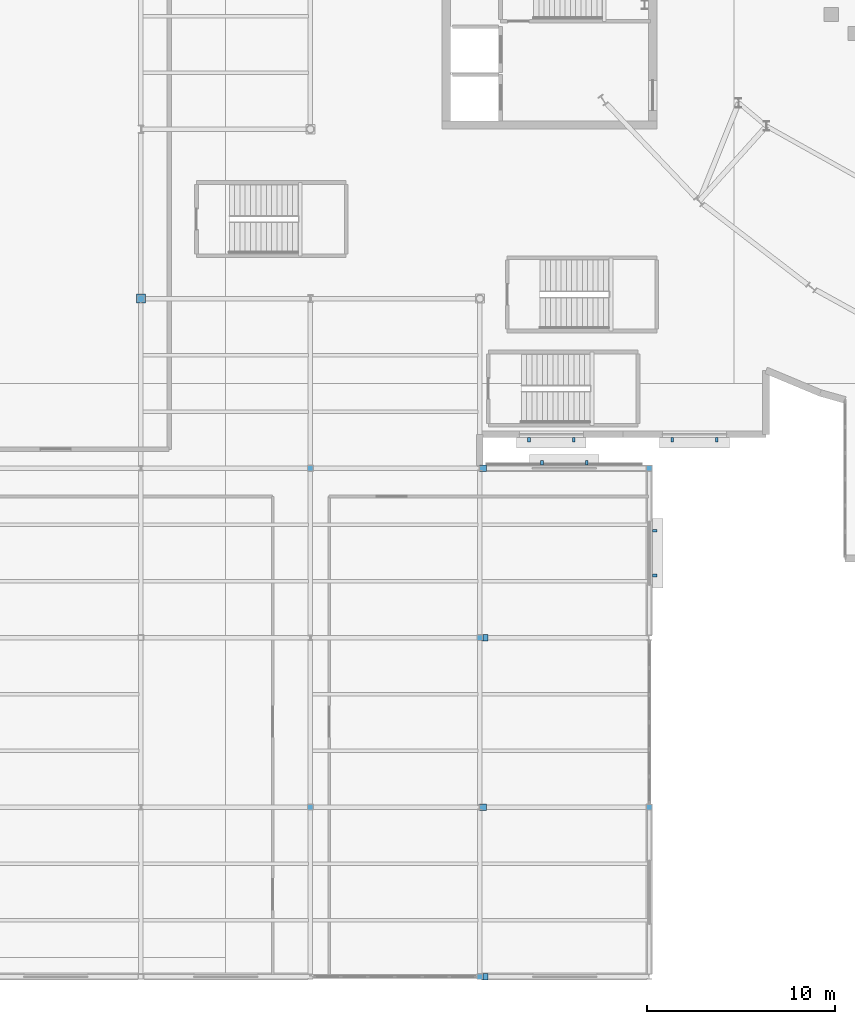
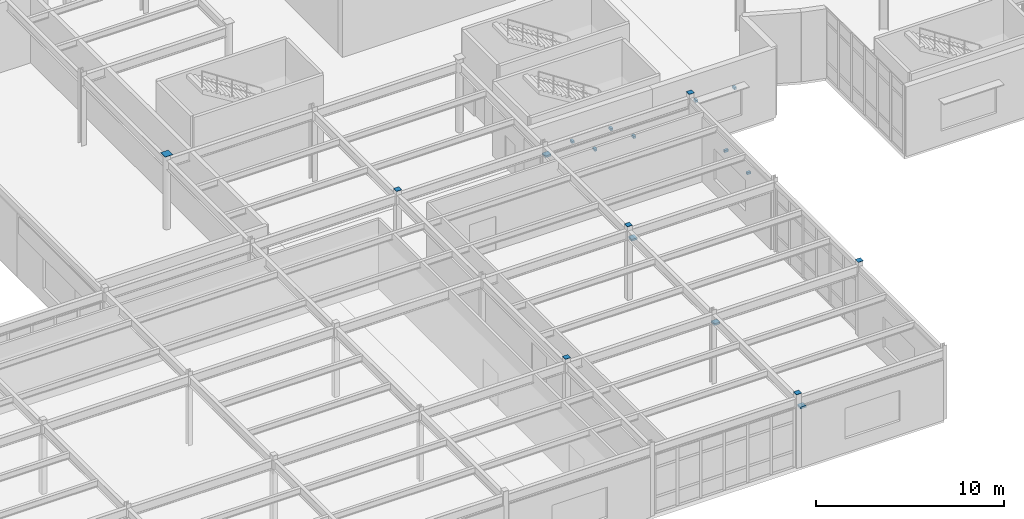
# One storey, part 68 of 84: 19 discrete accessories.
"""IFC4 building model written with IfcOpenShell, lengths in metres."""

import ifcopenshell
import ifcopenshell.guid

model = None  # the IFC model being written
_history = None  # IfcOwnerHistory: only IFC2X3 demands one
_inside = {}  # id of a spatial element -> (the spatial element, [elements in it])
_under = {}  # id of a project, library or spatial element -> (it, [spatial elements below it])
_declared = {}  # id of a project -> (the project, [libraries it declares])
_typed = {}  # id of a type object -> (the type object, [elements of that type])
_made_of = {}  # id of a material, layer set ... -> (it, [elements and type objects made of it])


def new_model(schema):
    """Start an empty IFC model of exactly this schema.

    Asked for "IFC4X3", IfcOpenShell would pick the latest addendum, in which some entities
    have other attributes; the version numbers below select the first issue.
    IFC2X3 requires an IfcOwnerHistory on every rooted entity: one is made here for all.
    """
    global model, _history
    if schema == "IFC4X3":
        model = ifcopenshell.file(schema_version=(4, 3, 0, 0))
    else:
        model = ifcopenshell.file(schema=schema)
    _inside.clear()
    _under.clear()
    _declared.clear()
    _typed.clear()
    _made_of.clear()
    _history = None
    if model.schema == "IFC2X3":
        org = make("IfcOrganization", Name="unknown")
        user = make(
            "IfcPersonAndOrganization",
            ThePerson=make("IfcPerson", FamilyName="unknown"),
            TheOrganization=org,
        )
        app = make(
            "IfcApplication",
            ApplicationDeveloper=org,
            Version="unknown",
            ApplicationFullName="unknown",
            ApplicationIdentifier="unknown",
        )
        _history = make(
            "IfcOwnerHistory",
            OwningUser=user,
            OwningApplication=app,
            ChangeAction="ADDED",
            CreationDate=0,
        )
    return model


def make(cls, **values):
    """One entity of the class cls with the attributes given. An attribute that is None is left unset."""
    return model.create_entity(
        cls, **{name: value for name, value in values.items() if value is not None}
    )


def rooted(cls, **values):
    """An entity with a GlobalId (a new one), such as an element, a storey or a relation."""
    return make(cls, GlobalId=ifcopenshell.guid.new(), OwnerHistory=_history, **values)


def si_unit(unit_type, name, prefix=None):
    """IfcSIUnit, for example si_unit("LENGTHUNIT", "METRE", prefix="MILLI")."""
    return make("IfcSIUnit", UnitType=unit_type, Prefix=prefix, Name=name)


def assignment(units):
    """IfcUnitAssignment: the units of a project."""
    return None if units is None else make("IfcUnitAssignment", Units=units)


def point(xyz):
    """IfcCartesianPoint."""
    return None if xyz is None else make("IfcCartesianPoint", Coordinates=xyz)


def direction(xyz):
    """IfcDirection."""
    return None if xyz is None else make("IfcDirection", DirectionRatios=xyz)


def frame(location, z_axis=None, x_axis=None):
    """IfcAxis2Placement3D, a coordinate frame: its origin and axes. An axis left out is left unset."""
    return make(
        "IfcAxis2Placement3D",
        Location=point(location),
        Axis=direction(z_axis),
        RefDirection=direction(x_axis),
    )


def frame_2d(location, x_axis=None):
    """IfcAxis2Placement2D, a coordinate frame in the plane: its origin and x axis."""
    return make(
        "IfcAxis2Placement2D", Location=point(location), RefDirection=direction(x_axis)
    )


def origin():
    """The frame at (0, 0, 0) with its axes left unset."""
    return frame((0.0, 0.0, 0.0))


def origin_2d():
    """The frame at (0, 0) in the plane with its x axis left unset."""
    return frame_2d((0.0, 0.0))


def place(relative_to, where):
    """IfcLocalPlacement: puts the frame where relative to a parent placement (None: the world)."""
    return make(
        "IfcLocalPlacement", PlacementRelTo=relative_to, RelativePlacement=where
    )


def context(
    kind, dimensions, precision=None, world=None, true_north=None, identifier=None
):
    """IfcGeometricRepresentationContext, for example the 3D "Model" context."""
    return make(
        "IfcGeometricRepresentationContext",
        ContextIdentifier=identifier,
        ContextType=kind,
        CoordinateSpaceDimension=dimensions,
        Precision=precision,
        WorldCoordinateSystem=world,
        TrueNorth=true_north,
    )


def subcontext(parent, identifier, kind, view, scale=None):
    """IfcGeometricRepresentationSubContext, for example "Body" below "Model"."""
    return make(
        "IfcGeometricRepresentationSubContext",
        ContextIdentifier=identifier,
        ContextType=kind,
        ParentContext=parent,
        TargetScale=scale,
        TargetView=view,
    )


def project(units=None, contexts=None):
    """IfcProject with its units and contexts."""
    return rooted(
        "IfcProject",
        Name="project",
        RepresentationContexts=contexts,
        UnitsInContext=assignment(units),
    )


def spatial(cls, under=None, at=None, **own):
    """A site, building, storey or space (cls), placed at a placement, below another one or the project."""
    s = rooted(cls, ObjectPlacement=at, **own)
    if under is not None:
        _under.setdefault(under.id(), (under, []))[1].append(s)
    return s


def profile(cls, at=None, kind="AREA", **sizes):
    """A parametric profile (cls). Its sizes go by their IFC names, for example OverallWidth=200.0."""
    return make(cls, ProfileType=kind, Position=at, **sizes)


def rectangle(**sizes):
    """IfcRectangleProfileDef."""
    return profile("IfcRectangleProfileDef", **sizes)


def extrude(swept, where, along, depth):
    """IfcExtrudedAreaSolid: the profile swept, set in the frame where, extruded along a direction by depth."""
    return make(
        "IfcExtrudedAreaSolid",
        SweptArea=swept,
        Position=where,
        ExtrudedDirection=direction(along),
        Depth=depth,
    )


def shape(context_of_items, identifier, shape_type, items):
    """IfcShapeRepresentation: the items that make up one representation, for example the "Body"."""
    return make(
        "IfcShapeRepresentation",
        ContextOfItems=context_of_items,
        RepresentationIdentifier=identifier,
        RepresentationType=shape_type,
        Items=items,
    )


def material(Name=None, Category=None):
    """IfcMaterial."""
    return make("IfcMaterial", Name=Name, Category=Category)


def made_of(thing, what):
    """Note that an element or type object is made of a material, layer set ...; save() writes the relation."""
    if what is not None:
        _made_of.setdefault(what.id(), (what, []))[1].append(thing)
    return thing


def type_object(cls, material=None, **own):
    """A type object (cls), such as IfcWallType, which elements share."""
    return made_of(rooted(cls, **own), material)


def element(
    cls,
    number,
    at=None,
    inside=None,
    cuts=None,
    type_object=None,
    material=None,
    context=None,
    identifier="Body",
    shape_type=None,
    held_by="IfcProductDefinitionShape",
    body=None,
    shapes=None,
    **own,
):
    """One element of the class cls, such as IfcWall. Its Tag is "e" and its number.

    at: its placement. inside: the storey or other place that contains it. cuts: it is an
    opening in that element (IfcRelVoidsElement). A single representation is given by context,
    identifier, shape_type and body (its items); several are given by shapes. held_by: the class
    of the entity that holds the representations. save() writes the other relations.
    """
    e = rooted(cls, Tag="e%d" % number, ObjectPlacement=at, **own)
    if body is not None:
        shapes = [shape(context, identifier, shape_type, body)]
    if shapes is not None:
        e.Representation = make(held_by, Representations=shapes)
    if inside is not None:
        _inside.setdefault(inside.id(), (inside, []))[1].append(e)
    if cuts is not None:
        rooted(
            "IfcRelVoidsElement", RelatingBuildingElement=cuts, RelatedOpeningElement=e
        )
    if type_object is not None:
        _typed.setdefault(type_object.id(), (type_object, []))[1].append(e)
    return made_of(e, material)


def aggregate(whole, parts):
    """IfcRelAggregates: a whole, such as a stair, and the parts it consists of."""
    return rooted("IfcRelAggregates", RelatingObject=whole, RelatedObjects=parts)


def save(model, path):
    """Write the relations noted so far, then the file.

    IfcRelAggregates (storeys below a building ...), IfcRelContainedInSpatialStructure (elements
    in a storey), IfcRelDefinesByType, IfcRelAssociatesMaterial and IfcRelDeclares: one each for
    every whole, place, type object, material and project.
    """
    for whole, parts in _under.values():
        aggregate(whole, parts)
    for where, things in _inside.values():
        rooted(
            "IfcRelContainedInSpatialStructure",
            RelatedElements=things,
            RelatingStructure=where,
        )
    for kind, things in _typed.values():
        rooted("IfcRelDefinesByType", RelatedObjects=things, RelatingType=kind)
    for what, things in _made_of.values():
        rooted("IfcRelAssociatesMaterial", RelatedObjects=things, RelatingMaterial=what)
    for by, libraries in _declared.values():
        rooted("IfcRelDeclares", RelatingContext=by, RelatedDefinitions=libraries)
    model.write(path)


model = new_model("IFC4")

# Units and contexts
model_context = context("Model", 3, precision=1e-05, world=origin(), true_north=direction((0.0, 1.0)))
body_context = subcontext(model_context, "Body", "Model", "MODEL_VIEW")
ifc_project = project(units=[si_unit("LENGTHUNIT", "METRE"), si_unit("AREAUNIT", "SQUARE_METRE"), si_unit("VOLUMEUNIT", "CUBIC_METRE"), si_unit("PLANEANGLEUNIT", "RADIAN"), si_unit("MASSUNIT", "GRAM", prefix="KILO")], contexts=[model_context])

# Site, building, storey
site_placement = place(None, origin())
site = spatial("IfcSite", under=ifc_project, at=site_placement, CompositionType="ELEMENT")
building_placement = place(site_placement, origin())
building = spatial("IfcBuilding", under=site, at=building_placement, Name="Glasvene Arena", CompositionType="ELEMENT")
storey_placement = place(building_placement, frame((0.0, 0.0, 10.199951171875)))
storey = spatial("IfcBuildingStorey", under=building, at=storey_placement, Name="L02", CompositionType="ELEMENT", Elevation=10.199951171875)

# Discrete accessories
ifc_material_1 = material(Name="Steel S355J2", Category="steel")
discrete_accessory_type_1 = type_object("IfcDiscreteAccessoryType", Name="ACC-BRG-MJ1", PredefinedType="SHOE", material=ifc_material_1)
for number, where, z_axis, x_axis, name in (
    (1, (45.264892578125, 0.0, 3.79736328125), (0.0, 0.0, 1.0), (1.0, 0.0, 0.0), "Movement joint MJ-1 unguided sliding bearing BRG-MJ1 L02-0784"),
    (2, (45.169921875, 9.0, 3.79736328125), (0.0, 0.0, 1.0), (1.0, 0.0, 0.0), "Movement joint MJ-1 unguided sliding bearing BRG-MJ1 L02-0790"),
    (3, (45.264892578125, 18.0, 3.79736328125), (0.0, 0.0, 1.0), (1.0, 0.0, 0.0), "Movement joint MJ-1 unguided sliding bearing BRG-MJ1 L02-0796"),
    (4, (45.169921875, 27.0, 3.79736328125), (0.0, 0.0, 1.0), (1.0, 0.0, 0.0), "Movement joint MJ-1 unguided sliding bearing BRG-MJ1 L02-0802"),
):
    element("IfcDiscreteAccessory", number, at=place(storey_placement, frame(where, z_axis=z_axis, x_axis=x_axis)), inside=storey, type_object=discrete_accessory_type_1, Name=name, PredefinedType="SHOE", context=body_context, shape_type="SweptSolid", body=[
        extrude(rectangle(XDim=0.35009765625, YDim=0.35009765625, at=origin_2d()), origin(), (0.0, 0.0, 1.0), 0.1201171875),
    ])
discrete_accessory_type_2 = type_object("IfcDiscreteAccessoryType", Name="ACC-CAP-CHS420", PredefinedType="USERDEFINED", material=ifc_material_1)
discrete_accessory_placement = place(storey_placement, frame((27.0, 36.0, 4.798095703125), z_axis=(0.0, 0.0, 1.0), x_axis=(1.0, 0.0, 0.0)))
element("IfcDiscreteAccessory", 5, at=discrete_accessory_placement, inside=storey, type_object=discrete_accessory_type_2, Name="Hollow column top cap plate 4-5 L02", ObjectType="CAP PLATE", PredefinedType="USERDEFINED", context=body_context, shape_type="SweptSolid", body=[
    extrude(rectangle(XDim=0.47998046875, YDim=0.47998046875, at=origin_2d()), origin(), (0.0, 0.0, 1.0), 0.02001953125),
])
discrete_accessory_type_3 = type_object("IfcDiscreteAccessoryType", Name="ACC-CAP-SHS320", PredefinedType="USERDEFINED", material=ifc_material_1)
for number, where, z_axis, x_axis, name in (
    (6, (36.0, 9.0, 4.798095703125), (0.0, 0.0, 1.0), (1.0, 0.0, 0.0), "Hollow column top cap plate 5-2 L02"),
    (7, (36.0, 27.0, 4.798095703125), (0.0, 0.0, 1.0), (1.0, 0.0, 0.0), "Hollow column top cap plate 5-4 L02"),
    (8, (45.0, 0.0, 4.798095703125), (0.0, 0.0, 1.0), (1.0, 0.0, 0.0), "Hollow column top cap plate 6-1 L02"),
    (9, (45.0, 18.0, 4.798095703125), (0.0, 0.0, 1.0), (1.0, 0.0, 0.0), "Hollow column top cap plate 6-3 L02"),
    (10, (54.0, 9.0, 4.798095703125), (0.0, 0.0, 1.0), (1.0, 0.0, 0.0), "Hollow column top cap plate 7-2 L02"),
    (11, (54.0, 27.0, 4.798095703125), (0.0, 0.0, 1.0), (1.0, 0.0, 0.0), "Hollow column top cap plate 7-4 L02"),
):
    element("IfcDiscreteAccessory", number, at=place(storey_placement, frame(where, z_axis=z_axis, x_axis=x_axis)), inside=storey, type_object=discrete_accessory_type_3, Name=name, ObjectType="CAP PLATE", PredefinedType="USERDEFINED", context=body_context, shape_type="SweptSolid", body=[
        extrude(rectangle(XDim=0.320068359375, YDim=0.320068359375, at=origin_2d()), origin(), (0.0, 0.0, 1.0), 0.02001953125),
    ])
ifc_material_2 = material(Name="Warm bronze architectural aluminium", Category="aluminium")
discrete_accessory_type_4 = type_object("IfcDiscreteAccessoryType", Name="ACC-FIN-BRK", PredefinedType="BRACKET", material=ifc_material_2)
for number, where, z_axis, x_axis, name in (
    (12, (57.590087890625, 28.52001953125, 2.8701171875), (0.0, 0.0, 1.0), (-1.0, 0.0, 0.0), "Brise-soleil wall bracket BK-061"),
    (13, (55.2099609375, 28.52001953125, 2.8701171875), (0.0, 0.0, 1.0), (-1.0, 0.0, 0.0), "Brise-soleil wall bracket BK-061"),
    (14, (49.989990234375, 28.52001953125, 2.8701171875), (0.0, 0.0, 1.0), (-1.0, 0.0, 0.0), "Brise-soleil wall bracket BK-062"),
    (15, (47.610107421875, 28.52001953125, 2.8701171875), (0.0, 0.0, 1.0), (-1.0, 0.0, 0.0), "Brise-soleil wall bracket BK-062"),
    (16, (48.299072265625, 27.280029296875, 2.8701171875), (0.0, 0.0, 1.0), (1.0, 0.0, 0.0), "Brise-soleil wall bracket BK-063"),
    (17, (50.67919921875, 27.280029296875, 2.8701171875), (0.0, 0.0, 1.0), (1.0, 0.0, 0.0), "Brise-soleil wall bracket BK-063"),
    (18, (54.280029296875, 23.68017578125, 2.8701171875), (0.0, 0.0, 1.0), (0.0, -1.0, 0.0), "Brise-soleil wall bracket BK-064"),
    (19, (54.280029296875, 21.300048828125, 2.8701171875), (0.0, 0.0, 1.0), (0.0, -1.0, 0.0), "Brise-soleil wall bracket BK-064"),
):
    element("IfcDiscreteAccessory", number, at=place(storey_placement, frame(where, z_axis=z_axis, x_axis=x_axis)), inside=storey, type_object=discrete_accessory_type_4, Name=name, PredefinedType="BRACKET", context=body_context, shape_type="SweptSolid", body=[
        extrude(rectangle(XDim=0.139892578125, YDim=0.239990234375, at=origin_2d()), origin(), (0.0, 0.0, 1.0), 0.139892578125),
    ])

save(model, "model.ifc")
